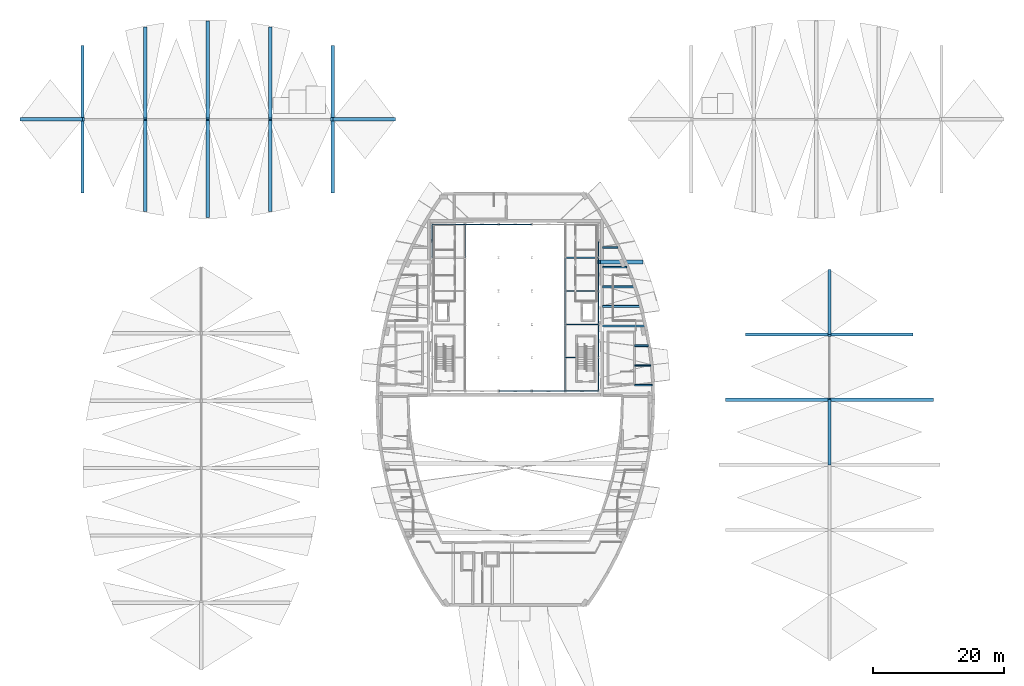
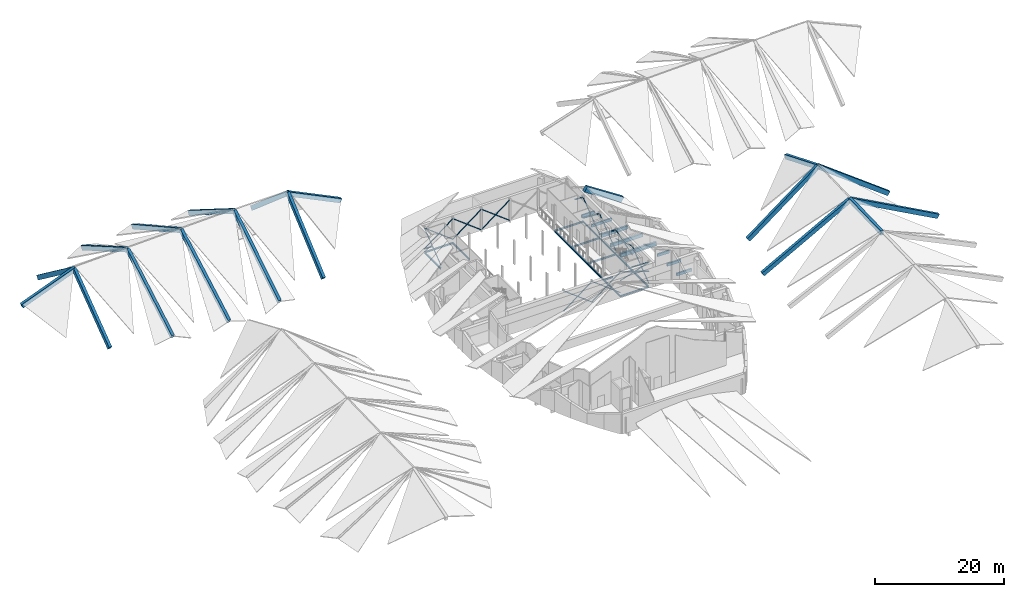
# One storey, part 6 of 17: 43 beams, 33 members.
"""IFC4 building model written with IfcOpenShell, lengths in metres."""

from ifc_helpers import new_model, si_unit, direction, frame, origin, origin_2d, place, context, subcontext, project, spatial, rectangle, hollow_circle, i_section, extrude, material, material_profile, profile_set, type_object, element, save


model = new_model("IFC4")

# Units and contexts
model_context = context("Model", 3, precision=1e-05, world=origin(), true_north=direction((0.0, 1.0)))
body_context = subcontext(model_context, "Body", "Model", "MODEL_VIEW")
ifc_project = project(units=[si_unit("LENGTHUNIT", "METRE"), si_unit("AREAUNIT", "SQUARE_METRE"), si_unit("VOLUMEUNIT", "CUBIC_METRE"), si_unit("PLANEANGLEUNIT", "RADIAN"), si_unit("MASSUNIT", "GRAM", prefix="KILO")], contexts=[model_context])

# Site, building, storey
site_placement = place(None, origin())
site = spatial("IfcSite", under=ifc_project, at=site_placement, CompositionType="ELEMENT")
building_placement = place(site_placement, origin())
building = spatial("IfcBuilding", under=site, at=building_placement, Name="Tide Square Theatres", CompositionType="ELEMENT")
storey_placement = place(building_placement, frame((0.0, 0.0, 14.800048828125)))
storey = spatial("IfcBuildingStorey", under=building, at=storey_placement, Name="L03", CompositionType="ELEMENT", Elevation=14.800048828125)

# Beams
ifc_material_1 = material(Name="Concrete C35", Category="concrete")
ifc_material_profile_1 = material_profile(ifc_material_1, rectangle(XDim=0.25, YDim=0.5, at=origin_2d()))
ifc_profile_set_1 = profile_set([ifc_material_profile_1], Name="Concrete C35")
beam_type_1 = type_object("IfcBeamType", Name="RC beam 250 x 500", PredefinedType="BEAM", material=ifc_profile_set_1)
beam_1_placement = place(storey_placement, frame((102.25, 57.199951171875, -0.5), z_axis=(1.0, 0.0, 0.0), x_axis=(0.0, 1.0, 0.0)))
element("IfcBeam", 1, at=beam_1_placement, inside=storey, type_object=beam_type_1, Name="Floor beam", PredefinedType="BEAM", context=body_context, shape_type="SweptSolid", body=[
    extrude(rectangle(XDim=0.25, YDim=0.5, at=origin_2d()), origin(), (0.0, 0.0, 1.0), 2.680908203125),
])
beam_2_placement = place(storey_placement, frame((102.25, 60.199951171875, -0.5), z_axis=(1.0, 0.0, 0.0), x_axis=(0.0, 1.0, 0.0)))
element("IfcBeam", 2, at=beam_2_placement, inside=storey, type_object=beam_type_1, Name="Floor beam", PredefinedType="BEAM", context=body_context, shape_type="SweptSolid", body=[
    extrude(rectangle(XDim=0.25, YDim=0.5, at=origin_2d()), origin(), (0.0, 0.0, 1.0), 2.48046875),
])
beam_3_placement = place(storey_placement, frame((102.25, 63.199951171875, -0.5), z_axis=(1.0, 0.0, 0.0), x_axis=(0.0, 1.0, 0.0)))
element("IfcBeam", 3, at=beam_3_placement, inside=storey, type_object=beam_type_1, Name="Floor beam", PredefinedType="BEAM", context=body_context, shape_type="SweptSolid", body=[
    extrude(rectangle(XDim=0.25, YDim=0.5, at=origin_2d()), origin(), (0.0, 0.0, 1.0), 2.095947265625),
])
beam_4_placement = place(storey_placement, frame((97.35009765625, 75.199951171875, -0.5), z_axis=(1.0, 0.0, 0.0), x_axis=(0.0, 1.0, 0.0)))
element("IfcBeam", 4, at=beam_4_placement, inside=storey, type_object=beam_type_1, Name="Floor beam", PredefinedType="BEAM", context=body_context, shape_type="SweptSolid", body=[
    extrude(rectangle(XDim=0.25, YDim=0.5, at=origin_2d()), origin(), (0.0, 0.0, 1.0), 3.663330078125),
])
beam_5_placement = place(storey_placement, frame((97.35009765625, 78.199951171875, -0.5), z_axis=(1.0, 0.0, 0.0), x_axis=(0.0, 1.0, 0.0)))
element("IfcBeam", 5, at=beam_5_placement, inside=storey, type_object=beam_type_1, Name="Floor beam", PredefinedType="BEAM", context=body_context, shape_type="SweptSolid", body=[
    extrude(rectangle(XDim=0.25, YDim=0.5, at=origin_2d()), origin(), (0.0, 0.0, 1.0), 2.335205078125),
])
ifc_material_2 = material(Name="Concrete C35", Category="concrete")
ifc_material_profile_2 = material_profile(ifc_material_2, rectangle(XDim=0.300048828125, YDim=0.60009765625, at=origin_2d()))
ifc_profile_set_2 = profile_set([ifc_material_profile_2], Name="Concrete C35")
beam_type_2 = type_object("IfcBeamType", Name="RC beam 300 x 600", PredefinedType="BEAM", material=ifc_profile_set_2)
beam_6_placement = place(storey_placement, frame((97.35009765625, 69.199951171875, -0.550048828125), z_axis=(1.0, 0.0, 0.0), x_axis=(0.0, 1.0, 0.0)))
element("IfcBeam", 6, at=beam_6_placement, inside=storey, type_object=beam_type_2, Name="Floor beam", PredefinedType="BEAM", context=body_context, shape_type="SweptSolid", body=[
    extrude(rectangle(XDim=0.300048828125, YDim=0.60009765625, at=origin_2d()), origin(), (0.0, 0.0, 1.0), 5.7001953125),
])
beam_7_placement = place(storey_placement, frame((97.35009765625, 72.199951171875, -0.550048828125), z_axis=(1.0, 0.0, 0.0), x_axis=(0.0, 1.0, 0.0)))
element("IfcBeam", 7, at=beam_7_placement, inside=storey, type_object=beam_type_2, Name="Floor beam", PredefinedType="BEAM", context=body_context, shape_type="SweptSolid", body=[
    extrude(rectangle(XDim=0.300048828125, YDim=0.60009765625, at=origin_2d()), origin(), (0.0, 0.0, 1.0), 4.779052734375),
])
ifc_material_3 = material(Name="Concrete C35", Category="concrete")
ifc_material_profile_3 = material_profile(ifc_material_3, rectangle(XDim=0.35009765625, YDim=0.699951171875, at=origin_2d()))
ifc_profile_set_3 = profile_set([ifc_material_profile_3], Name="Concrete C35")
beam_type_3 = type_object("IfcBeamType", Name="RC beam 350 x 700", PredefinedType="BEAM", material=ifc_profile_set_3)
beam_8_placement = place(storey_placement, frame((97.35009765625, 66.199951171875, -0.60009765625), z_axis=(1.0, 0.0, 0.0), x_axis=(0.0, 1.0, 0.0)))
element("IfcBeam", 8, at=beam_8_placement, inside=storey, type_object=beam_type_3, Name="Floor beam", PredefinedType="BEAM", context=body_context, shape_type="SweptSolid", body=[
    extrude(rectangle(XDim=0.35009765625, YDim=0.699951171875, at=origin_2d()), origin(), (0.0, 0.0, 1.0), 6.43603515625),
])
ifc_material_4 = material(Name="Concrete C40", Category="concrete")
ifc_material_profile_4 = material_profile(ifc_material_4, rectangle(XDim=0.5, YDim=0.800048828125, at=origin_2d()))
ifc_profile_set_4 = profile_set([ifc_material_profile_4], Name="Concrete C40")
beam_type_4 = type_object("IfcBeamType", Name="RC roof rib 500 x 800", PredefinedType="BEAM", material=ifc_profile_set_4)
beam_9_placement = place(storey_placement, frame((147.6953125, 54.958251953125, -3.941650390625), z_axis=(-0.877853277475, 0.0, 0.478929664175), x_axis=(0.0, -1.0, 0.0)))
element("IfcBeam", 9, at=beam_9_placement, inside=storey, type_object=beam_type_4, Name="Roof rib blackbox R4", PredefinedType="BEAM", context=body_context, shape_type="SweptSolid", body=[
    extrude(rectangle(XDim=0.5, YDim=0.800048828125, at=origin_2d()), origin(), (0.0, 0.0, 1.0), 17.86962890625),
])
beam_10_placement = place(storey_placement, frame((144.551513671875, 64.916259765625, -4.569091796875), z_axis=(-0.798574565694, 0.0, 0.601895890522), x_axis=(0.0, -1.0, 0.0)))
element("IfcBeam", 10, at=beam_10_placement, inside=storey, type_object=beam_type_4, Name="Roof rib blackbox R5", PredefinedType="BEAM", context=body_context, shape_type="SweptSolid", body=[
    extrude(rectangle(XDim=0.5, YDim=0.800048828125, at=origin_2d()), origin(), (0.0, 0.0, 1.0), 15.7685546875),
])
beam_11_placement = place(storey_placement, frame((116.3046875, 54.958251953125, -3.941650390625), z_axis=(0.877853277475, 0.0, 0.478929664175), x_axis=(0.0, 1.0, 0.0)))
element("IfcBeam", 11, at=beam_11_placement, inside=storey, type_object=beam_type_4, Name="Roof rib blackbox L4", PredefinedType="BEAM", context=body_context, shape_type="SweptSolid", body=[
    extrude(rectangle(XDim=0.5, YDim=0.800048828125, at=origin_2d()), origin(), (0.0, 0.0, 1.0), 17.86962890625),
])
beam_12_placement = place(storey_placement, frame((119.448486328125, 64.916259765625, -4.569091796875), z_axis=(0.798574565694, 0.0, 0.601895890522), x_axis=(0.0, 1.0, 0.0)))
element("IfcBeam", 12, at=beam_12_placement, inside=storey, type_object=beam_type_4, Name="Roof rib blackbox L5", PredefinedType="BEAM", context=body_context, shape_type="SweptSolid", body=[
    extrude(rectangle(XDim=0.5, YDim=0.800048828125, at=origin_2d()), origin(), (0.0, 0.0, 1.0), 15.7685546875),
])
beam_13_placement = place(storey_placement, frame((17.88037109375, 86.773193359375, -2.808349609375), z_axis=(0.0, 0.800319809393, 0.599573350552), x_axis=(-1.0, 0.0, 0.0)))
element("IfcBeam", 13, at=beam_13_placement, inside=storey, type_object=beam_type_4, Name="Roof rib workshops R1", PredefinedType="BEAM", context=body_context, shape_type="SweptSolid", body=[
    extrude(rectangle(XDim=0.5, YDim=0.800048828125, at=origin_2d()), origin(), (0.0, 0.0, 1.0), 13.827880859375),
])
beam_14_placement = place(storey_placement, frame((27.440185546875, 83.893310546875, -2.237060546875), z_axis=(0.0, 0.865561843789, 0.50080205129), x_axis=(-1.0, 0.0, 0.0)))
element("IfcBeam", 14, at=beam_14_placement, inside=storey, type_object=beam_type_4, Name="Roof rib workshops R2", PredefinedType="BEAM", context=body_context, shape_type="SweptSolid", body=[
    extrude(rectangle(XDim=0.5, YDim=0.800048828125, at=origin_2d()), origin(), (0.0, 0.0, 1.0), 16.06689453125),
])
beam_15_placement = place(storey_placement, frame((37.0, 82.975830078125, -2.14013671875), z_axis=(0.0, 0.873644197801, 0.486565325161), x_axis=(-1.0, 0.0, 0.0)))
element("IfcBeam", 15, at=beam_15_placement, inside=storey, type_object=beam_type_4, Name="Roof rib workshops R3", PredefinedType="BEAM", context=body_context, shape_type="SweptSolid", body=[
    extrude(rectangle(XDim=0.5, YDim=0.800048828125, at=origin_2d()), origin(), (0.0, 0.0, 1.0), 16.962158203125),
])
beam_16_placement = place(storey_placement, frame((46.559814453125, 83.906005859375, -2.333740234375), z_axis=(0.0, 0.846848724583, 0.531833844045), x_axis=(-1.0, 0.0, 0.0)))
element("IfcBeam", 16, at=beam_16_placement, inside=storey, type_object=beam_type_4, Name="Roof rib workshops R4", PredefinedType="BEAM", context=body_context, shape_type="SweptSolid", body=[
    extrude(rectangle(XDim=0.5, YDim=0.800048828125, at=origin_2d()), origin(), (0.0, 0.0, 1.0), 16.421630859375),
])
beam_17_placement = place(storey_placement, frame((56.11962890625, 86.794189453125, -3.02294921875), z_axis=(0.0, 0.757670994783, 0.652636701132), x_axis=(-1.0, 0.0, 0.0)))
element("IfcBeam", 17, at=beam_17_placement, inside=storey, type_object=beam_type_4, Name="Roof rib workshops R5", PredefinedType="BEAM", context=body_context, shape_type="SweptSolid", body=[
    extrude(rectangle(XDim=0.5, YDim=0.800048828125, at=origin_2d()), origin(), (0.0, 0.0, 1.0), 14.6064453125),
])
beam_18_placement = place(storey_placement, frame((17.88037109375, 108.826904296875, -2.808349609375), z_axis=(0.0, -0.800319809393, 0.599573350552), x_axis=(1.0, 0.0, 0.0)))
element("IfcBeam", 18, at=beam_18_placement, inside=storey, type_object=beam_type_4, Name="Roof rib workshops L1", PredefinedType="BEAM", context=body_context, shape_type="SweptSolid", body=[
    extrude(rectangle(XDim=0.5, YDim=0.800048828125, at=origin_2d()), origin(), (0.0, 0.0, 1.0), 13.827880859375),
])
beam_19_placement = place(storey_placement, frame((27.440185546875, 111.70654296875, -2.237060546875), z_axis=(0.0, -0.865558032727, 0.500808638086), x_axis=(1.0, 0.0, 0.0)))
element("IfcBeam", 19, at=beam_19_placement, inside=storey, type_object=beam_type_4, Name="Roof rib workshops L2", PredefinedType="BEAM", context=body_context, shape_type="SweptSolid", body=[
    extrude(rectangle(XDim=0.5, YDim=0.800048828125, at=origin_2d()), origin(), (0.0, 0.0, 1.0), 16.06689453125),
])
beam_20_placement = place(storey_placement, frame((37.0, 112.6240234375, -2.14013671875), z_axis=(0.0, -0.873640790184, 0.4865714436), x_axis=(1.0, 0.0, 0.0)))
element("IfcBeam", 20, at=beam_20_placement, inside=storey, type_object=beam_type_4, Name="Roof rib workshops L3", PredefinedType="BEAM", context=body_context, shape_type="SweptSolid", body=[
    extrude(rectangle(XDim=0.5, YDim=0.800048828125, at=origin_2d()), origin(), (0.0, 0.0, 1.0), 16.9619140625),
])
beam_21_placement = place(storey_placement, frame((46.559814453125, 111.694091796875, -2.333740234375), z_axis=(0.0, -0.846848724583, 0.531833844045), x_axis=(1.0, 0.0, 0.0)))
element("IfcBeam", 21, at=beam_21_placement, inside=storey, type_object=beam_type_4, Name="Roof rib workshops L4", PredefinedType="BEAM", context=body_context, shape_type="SweptSolid", body=[
    extrude(rectangle(XDim=0.5, YDim=0.800048828125, at=origin_2d()), origin(), (0.0, 0.0, 1.0), 16.421630859375),
])
beam_22_placement = place(storey_placement, frame((56.11962890625, 108.8056640625, -3.02294921875), z_axis=(0.0, -0.757663875338, 0.652644966278), x_axis=(1.0, 0.0, 0.0)))
element("IfcBeam", 22, at=beam_22_placement, inside=storey, type_object=beam_type_4, Name="Roof rib workshops L5", PredefinedType="BEAM", context=body_context, shape_type="SweptSolid", body=[
    extrude(rectangle(XDim=0.5, YDim=0.800048828125, at=origin_2d()), origin(), (0.0, 0.0, 1.0), 14.606201171875),
])
ifc_material_5 = material(Name="Concrete C40", Category="concrete")
ifc_material_profile_5 = material_profile(ifc_material_5, rectangle(XDim=0.60009765625, YDim=1.0, at=origin_2d()))
ifc_profile_set_5 = profile_set([ifc_material_profile_5], Name="Concrete C40")
beam_type_5 = type_object("IfcBeamType", Name="RC roof rib and ridge 600 x 1000", PredefinedType="BEAM", material=ifc_profile_set_5)
beam_23_placement = place(storey_placement, frame((103.266845703125, 76.0068359375, 2.0068359375), z_axis=(-0.837268460487, 0.0, 0.546792030916), x_axis=(0.0, -1.0, 0.0)))
element("IfcBeam", 23, at=beam_23_placement, inside=storey, type_object=beam_type_5, Name="Roof rib main R5", PredefinedType="BEAM", context=body_context, shape_type="SweptSolid", body=[
    extrude(rectangle(XDim=0.60009765625, YDim=1.0, at=origin_2d()), origin(), (0.0, 0.0, 1.0), 7.8115234375),
])
ifc_material_6 = material(Name="Concrete C40", Category="concrete")
ifc_material_profile_6 = material_profile(ifc_material_6, rectangle(XDim=0.5, YDim=0.800048828125, at=origin_2d()))
ifc_profile_set_6 = profile_set([ifc_material_profile_6], Name="Concrete C40")
beam_type_6 = type_object("IfcBeamType", Name="RC roof ridge beam 500 x 800", PredefinedType="BEAM", material=ifc_profile_set_6)
beam_24_placement = place(storey_placement, frame((132.0, 45.011962890625, 4.329345703125), z_axis=(0.0, 0.999550795503, 0.029970105247), x_axis=(-1.0, 0.0, 0.0)))
element("IfcBeam", 24, at=beam_24_placement, inside=storey, type_object=beam_type_6, Name="Ridge beam blackbox", PredefinedType="BEAM", context=body_context, shape_type="SweptSolid", body=[
    extrude(rectangle(XDim=0.5, YDim=0.800048828125, at=origin_2d()), origin(), (0.0, 0.0, 1.0), 9.962646484375),
])
beam_25_placement = place(storey_placement, frame((132.0, 64.764892578125, 4.885498046875), z_axis=(0.0, 0.925609115956, -0.37848086406), x_axis=(-1.0, 0.0, 0.0)))
element("IfcBeam", 25, at=beam_25_placement, inside=storey, type_object=beam_type_6, Name="Ridge beam blackbox", PredefinedType="BEAM", context=body_context, shape_type="SweptSolid", body=[
    extrude(rectangle(XDim=0.5, YDim=0.800048828125, at=origin_2d()), origin(), (0.0, 0.0, 1.0), 10.7587890625),
])
beam_26_placement = place(storey_placement, frame((8.4638671875, 97.800048828125, 1.8115234375), z_axis=(0.932950225435, 0.0, 0.360005384488), x_axis=(0.0, 1.0, 0.0)))
element("IfcBeam", 26, at=beam_26_placement, inside=storey, type_object=beam_type_6, Name="Ridge beam workshops", PredefinedType="BEAM", context=body_context, shape_type="SweptSolid", body=[
    extrude(rectangle(XDim=0.5, YDim=0.800048828125, at=origin_2d()), origin(), (0.0, 0.0, 1.0), 10.24755859375),
])
beam_27_placement = place(storey_placement, frame((55.944580078125, 97.800048828125, 6.462890625), z_axis=(0.899206278723, 0.0, -0.437524934494), x_axis=(0.0, 1.0, 0.0)))
element("IfcBeam", 27, at=beam_27_placement, inside=storey, type_object=beam_type_6, Name="Ridge beam workshops", PredefinedType="BEAM", context=body_context, shape_type="SweptSolid", body=[
    extrude(rectangle(XDim=0.5, YDim=0.800048828125, at=origin_2d()), origin(), (0.0, 0.0, 1.0), 10.63232421875),
])
ifc_material_7 = material(Name="Steel ASTM A572 Grade 50", Category="steel")
ifc_material_profile_7 = material_profile(ifc_material_7, i_section(OverallWidth=0.1650390625, OverallDepth=0.31005859375, WebThickness=0.005859375, FlangeThickness=0.009765625, FilletRadius=0.010009765625, at=origin_2d()))
ifc_profile_set_7 = profile_set([ifc_material_profile_7], Name="Steel ASTM A572 Grade 50")
beam_type_7 = type_object("IfcBeamType", Name="Steel beam W 310 x 38.7", PredefinedType="BEAM", material=ifc_profile_set_7)
for number, where, z_axis, x_axis, name in (
    (28, (71.27587890625, 76.634521484375, -0.35498046875), (0.0, 1.0, 0.0), (-1.0, 0.0, 0.0), "Fly gallery beam"),
    (29, (76.365478515625, 76.634521484375, -0.35498046875), (0.0, 1.0, 0.0), (-1.0, 0.0, 0.0), "Fly gallery beam"),
    (30, (71.27587890625, 81.72412109375, -0.35498046875), (1.0, 0.0, 0.0), (0.0, 1.0, 0.0), "Fly gallery cross beam"),
    (31, (91.634521484375, 56.27587890625, -0.35498046875), (0.0, 1.0, 0.0), (-1.0, 0.0, 0.0), "Fly gallery beam"),
    (32, (91.634521484375, 61.365478515625, -0.35498046875), (0.0, 1.0, 0.0), (-1.0, 0.0, 0.0), "Fly gallery beam"),
):
    element("IfcBeam", number, at=place(storey_placement, frame(where, z_axis=z_axis, x_axis=x_axis)), inside=storey, type_object=beam_type_7, Name=name, PredefinedType="BEAM", context=body_context, shape_type="SweptSolid", body=[
        extrude(i_section(OverallWidth=0.1650390625, OverallDepth=0.31005859375, WebThickness=0.005859375, FlangeThickness=0.009765625, FilletRadius=0.010009765625, at=origin_2d()), origin(), (0.0, 0.0, 1.0), 5.089599609375),
    ])
beam_28_placement = place(storey_placement, frame((91.634521484375, 66.455078125, -0.35498046875), z_axis=(0.0, 1.0, 0.0), x_axis=(-1.0, 0.0, 0.0)))
element("IfcBeam", 33, at=beam_28_placement, inside=storey, type_object=beam_type_7, Name="Fly gallery beam", PredefinedType="BEAM", context=body_context, shape_type="SweptSolid", body=[
    extrude(i_section(OverallWidth=0.1650390625, OverallDepth=0.31005859375, WebThickness=0.005859375, FlangeThickness=0.009765625, FilletRadius=0.010009765625, at=origin_2d()), origin(), (0.0, 0.0, 1.0), 5.08984375),
])
for number, where, z_axis, x_axis, name in (
    (34, (91.634521484375, 71.544921875, -0.35498046875), (0.0, 1.0, 0.0), (-1.0, 0.0, 0.0), "Fly gallery beam"),
    (35, (96.72412109375, 56.27587890625, -0.35498046875), (0.0, 1.0, 0.0), (-1.0, 0.0, 0.0), "Fly gallery beam"),
    (36, (96.72412109375, 61.365478515625, -0.35498046875), (0.0, 1.0, 0.0), (-1.0, 0.0, 0.0), "Fly gallery beam"),
):
    element("IfcBeam", number, at=place(storey_placement, frame(where, z_axis=z_axis, x_axis=x_axis)), inside=storey, type_object=beam_type_7, Name=name, PredefinedType="BEAM", context=body_context, shape_type="SweptSolid", body=[
        extrude(i_section(OverallWidth=0.1650390625, OverallDepth=0.31005859375, WebThickness=0.005859375, FlangeThickness=0.009765625, FilletRadius=0.010009765625, at=origin_2d()), origin(), (0.0, 0.0, 1.0), 5.089599609375),
    ])
beam_29_placement = place(storey_placement, frame((96.72412109375, 66.455078125, -0.35498046875), z_axis=(0.0, 1.0, 0.0), x_axis=(-1.0, 0.0, 0.0)))
element("IfcBeam", 37, at=beam_29_placement, inside=storey, type_object=beam_type_7, Name="Fly gallery beam", PredefinedType="BEAM", context=body_context, shape_type="SweptSolid", body=[
    extrude(i_section(OverallWidth=0.1650390625, OverallDepth=0.31005859375, WebThickness=0.005859375, FlangeThickness=0.009765625, FilletRadius=0.010009765625, at=origin_2d()), origin(), (0.0, 0.0, 1.0), 5.08984375),
])
for number, where, z_axis, x_axis, name in (
    (38, (96.72412109375, 71.544921875, -0.35498046875), (0.0, 1.0, 0.0), (-1.0, 0.0, 0.0), "Fly gallery beam"),
    (39, (91.634521484375, 56.27587890625, -0.35498046875), (1.0, 0.0, 0.0), (0.0, 1.0, 0.0), "Fly gallery cross beam"),
):
    element("IfcBeam", number, at=place(storey_placement, frame(where, z_axis=z_axis, x_axis=x_axis)), inside=storey, type_object=beam_type_7, Name=name, PredefinedType="BEAM", context=body_context, shape_type="SweptSolid", body=[
        extrude(i_section(OverallWidth=0.1650390625, OverallDepth=0.31005859375, WebThickness=0.005859375, FlangeThickness=0.009765625, FilletRadius=0.010009765625, at=origin_2d()), origin(), (0.0, 0.0, 1.0), 5.089599609375),
    ])
beam_30_placement = place(storey_placement, frame((91.634521484375, 61.365478515625, -0.35498046875), z_axis=(1.0, 0.0, 0.0), x_axis=(0.0, 1.0, 0.0)))
element("IfcBeam", 40, at=beam_30_placement, inside=storey, type_object=beam_type_7, Name="Fly gallery cross beam", PredefinedType="BEAM", context=body_context, shape_type="SweptSolid", body=[
    extrude(i_section(OverallWidth=0.1650390625, OverallDepth=0.31005859375, WebThickness=0.005859375, FlangeThickness=0.009765625, FilletRadius=0.010009765625, at=origin_2d()), origin(), (0.0, 0.0, 1.0), 1.589599609375),
])
for number, where, z_axis, x_axis, name in (
    (41, (91.634521484375, 66.455078125, -0.35498046875), (1.0, 0.0, 0.0), (0.0, 1.0, 0.0), "Fly gallery cross beam"),
    (42, (91.634521484375, 71.544921875, -0.35498046875), (1.0, 0.0, 0.0), (0.0, 1.0, 0.0), "Fly gallery cross beam"),
    (43, (91.634521484375, 76.634521484375, -0.35498046875), (1.0, 0.0, 0.0), (0.0, 1.0, 0.0), "Fly gallery cross beam"),
):
    element("IfcBeam", number, at=place(storey_placement, frame(where, z_axis=z_axis, x_axis=x_axis)), inside=storey, type_object=beam_type_7, Name=name, PredefinedType="BEAM", context=body_context, shape_type="SweptSolid", body=[
        extrude(i_section(OverallWidth=0.1650390625, OverallDepth=0.31005859375, WebThickness=0.005859375, FlangeThickness=0.009765625, FilletRadius=0.010009765625, at=origin_2d()), origin(), (0.0, 0.0, 1.0), 5.089599609375),
    ])

# Members
ifc_material_8 = material(Name="Steel ASTM A500 Grade C", Category="steel")
ifc_material_profile_8 = material_profile(ifc_material_8, hollow_circle(Radius=0.084228515625, WallThickness=0.008056640625, at=origin_2d()))
ifc_profile_set_8 = profile_set([ifc_material_profile_8], Name="Steel ASTM A500 Grade C")
member_type = type_object("IfcMemberType", Name="Steel brace CHS 168.3 x 8.0", PredefinedType="BRACE", material=ifc_profile_set_8)
member_1_placement = place(storey_placement, frame((81.455078125, 56.27587890625, 0.349853515625), z_axis=(0.793761987508, 0.0, 0.608228499158), x_axis=(0.0, 1.0, 0.0)))
element("IfcMember", 44, at=member_1_placement, inside=storey, type_object=member_type, Name="Fly tower brace", PredefinedType="BRACE", context=body_context, shape_type="SweptSolid", body=[
    extrude(hollow_circle(Radius=0.084228515625, WallThickness=0.008056640625, at=origin_2d()), origin(), (0.0, 0.0, 1.0), 6.412353515625),
])
for number, where, z_axis, x_axis, name in (
    (45, (86.544921875, 56.27587890625, 0.349853515625), (-0.793761905618, 0.0, 0.608228606027), (0.0, -1.0, 0.0), "Fly tower brace"),
    (46, (83.921142578125, 56.27587890625, 2.3603515625), (-0.793761905618, 0.0, 0.608228606027), (0.0, -1.0, 0.0), "Fly tower brace"),
):
    element("IfcMember", number, at=place(storey_placement, frame(where, z_axis=z_axis, x_axis=x_axis)), inside=storey, type_object=member_type, Name=name, PredefinedType="BRACE", context=body_context, shape_type="SweptSolid", body=[
        extrude(hollow_circle(Radius=0.084228515625, WallThickness=0.008056640625, at=origin_2d()), origin(), (0.0, 0.0, 1.0), 3.106689453125),
    ])
member_2_placement = place(storey_placement, frame((86.544921875, 56.27587890625, 0.349853515625), z_axis=(0.793747901786, 0.0, 0.608246881135), x_axis=(0.0, 1.0, 0.0)))
element("IfcMember", 47, at=member_2_placement, inside=storey, type_object=member_type, Name="Fly tower brace", PredefinedType="BRACE", context=body_context, shape_type="SweptSolid", body=[
    extrude(hollow_circle(Radius=0.084228515625, WallThickness=0.008056640625, at=origin_2d()), origin(), (0.0, 0.0, 1.0), 6.412109375),
])
for number, where, z_axis, x_axis, name in (
    (48, (91.634521484375, 56.27587890625, 0.349853515625), (-0.793761905618, 0.0, 0.608228606027), (0.0, -1.0, 0.0), "Fly tower brace"),
    (49, (89.0107421875, 56.27587890625, 2.3603515625), (-0.793732831925, 0.0, 0.608266546445), (0.0, -1.0, 0.0), "Fly tower brace"),
):
    element("IfcMember", number, at=place(storey_placement, frame(where, z_axis=z_axis, x_axis=x_axis)), inside=storey, type_object=member_type, Name=name, PredefinedType="BRACE", context=body_context, shape_type="SweptSolid", body=[
        extrude(hollow_circle(Radius=0.084228515625, WallThickness=0.008056640625, at=origin_2d()), origin(), (0.0, 0.0, 1.0), 3.106689453125),
    ])
member_3_placement = place(storey_placement, frame((91.634521484375, 56.27587890625, 2.599853515625), z_axis=(0.951252128947, 0.0, 0.30841431091), x_axis=(0.0, 1.0, 0.0)))
element("IfcMember", 50, at=member_3_placement, inside=storey, type_object=member_type, Name="Fly tower brace", PredefinedType="BRACE", context=body_context, shape_type="SweptSolid", body=[
    extrude(hollow_circle(Radius=0.084228515625, WallThickness=0.008056640625, at=origin_2d()), origin(), (0.0, 0.0, 1.0), 5.350341796875),
])
member_4_placement = place(storey_placement, frame((96.72412109375, 56.27587890625, 2.599853515625), z_axis=(-0.951257396321, 0.0, 0.308398064106), x_axis=(0.0, -1.0, 0.0)))
element("IfcMember", 51, at=member_4_placement, inside=storey, type_object=member_type, Name="Fly tower brace", PredefinedType="BRACE", context=body_context, shape_type="SweptSolid", body=[
    extrude(hollow_circle(Radius=0.084228515625, WallThickness=0.008056640625, at=origin_2d()), origin(), (0.0, 0.0, 1.0), 2.463623046875),
])
member_5_placement = place(storey_placement, frame((93.977783203125, 56.27587890625, 3.490234375), z_axis=(-0.951247969685, 0.0, 0.30842713916), x_axis=(0.0, -1.0, 0.0)))
element("IfcMember", 52, at=member_5_placement, inside=storey, type_object=member_type, Name="Fly tower brace", PredefinedType="BRACE", context=body_context, shape_type="SweptSolid", body=[
    extrude(hollow_circle(Radius=0.084228515625, WallThickness=0.008056640625, at=origin_2d()), origin(), (0.0, 0.0, 1.0), 2.46337890625),
])
member_6_placement = place(storey_placement, frame((71.27587890625, 81.72412109375, 0.349853515625), z_axis=(0.793747901786, 0.0, 0.608246881135), x_axis=(0.0, 1.0, 0.0)))
element("IfcMember", 53, at=member_6_placement, inside=storey, type_object=member_type, Name="Fly tower brace", PredefinedType="BRACE", context=body_context, shape_type="SweptSolid", body=[
    extrude(hollow_circle(Radius=0.084228515625, WallThickness=0.008056640625, at=origin_2d()), origin(), (0.0, 0.0, 1.0), 6.412109375),
])
for number, where, z_axis, x_axis, name in (
    (54, (76.365478515625, 81.72412109375, 0.349853515625), (-0.793732831925, 0.0, 0.608266546445), (0.0, -1.0, 0.0), "Fly tower brace"),
    (55, (73.741943359375, 81.72412109375, 2.3603515625), (-0.793761905618, 0.0, 0.608228606027), (0.0, -1.0, 0.0), "Fly tower brace"),
):
    element("IfcMember", number, at=place(storey_placement, frame(where, z_axis=z_axis, x_axis=x_axis)), inside=storey, type_object=member_type, Name=name, PredefinedType="BRACE", context=body_context, shape_type="SweptSolid", body=[
        extrude(hollow_circle(Radius=0.084228515625, WallThickness=0.008056640625, at=origin_2d()), origin(), (0.0, 0.0, 1.0), 3.106689453125),
    ])
member_7_placement = place(storey_placement, frame((76.365478515625, 81.72412109375, 0.349853515625), z_axis=(0.793747901786, 0.0, 0.608246881135), x_axis=(0.0, 1.0, 0.0)))
element("IfcMember", 56, at=member_7_placement, inside=storey, type_object=member_type, Name="Fly tower brace", PredefinedType="BRACE", context=body_context, shape_type="SweptSolid", body=[
    extrude(hollow_circle(Radius=0.084228515625, WallThickness=0.008056640625, at=origin_2d()), origin(), (0.0, 0.0, 1.0), 6.412109375),
])
for number, where, z_axis, x_axis, name in (
    (57, (81.455078125, 81.72412109375, 0.349853515625), (-0.793732831925, 0.0, 0.608266546445), (0.0, -1.0, 0.0), "Fly tower brace"),
    (58, (78.83154296875, 81.72412109375, 2.3603515625), (-0.793761905618, 0.0, 0.608228606027), (0.0, -1.0, 0.0), "Fly tower brace"),
):
    element("IfcMember", number, at=place(storey_placement, frame(where, z_axis=z_axis, x_axis=x_axis)), inside=storey, type_object=member_type, Name=name, PredefinedType="BRACE", context=body_context, shape_type="SweptSolid", body=[
        extrude(hollow_circle(Radius=0.084228515625, WallThickness=0.008056640625, at=origin_2d()), origin(), (0.0, 0.0, 1.0), 3.106689453125),
    ])
member_8_placement = place(storey_placement, frame((81.455078125, 81.72412109375, 0.349853515625), z_axis=(0.793761987508, 0.0, 0.608228499158), x_axis=(0.0, 1.0, 0.0)))
element("IfcMember", 59, at=member_8_placement, inside=storey, type_object=member_type, Name="Fly tower brace", PredefinedType="BRACE", context=body_context, shape_type="SweptSolid", body=[
    extrude(hollow_circle(Radius=0.084228515625, WallThickness=0.008056640625, at=origin_2d()), origin(), (0.0, 0.0, 1.0), 6.412353515625),
])
for number, where, z_axis, x_axis, name in (
    (60, (86.544921875, 81.72412109375, 0.349853515625), (-0.793761905618, 0.0, 0.608228606027), (0.0, -1.0, 0.0), "Fly tower brace"),
    (61, (83.921142578125, 81.72412109375, 2.3603515625), (-0.793761905618, 0.0, 0.608228606027), (0.0, -1.0, 0.0), "Fly tower brace"),
):
    element("IfcMember", number, at=place(storey_placement, frame(where, z_axis=z_axis, x_axis=x_axis)), inside=storey, type_object=member_type, Name=name, PredefinedType="BRACE", context=body_context, shape_type="SweptSolid", body=[
        extrude(hollow_circle(Radius=0.084228515625, WallThickness=0.008056640625, at=origin_2d()), origin(), (0.0, 0.0, 1.0), 3.106689453125),
    ])
member_9_placement = place(storey_placement, frame((71.27587890625, 76.634521484375, 0.349853515625), z_axis=(0.0, 0.793747901786, 0.608246881135), x_axis=(-1.0, 0.0, 0.0)))
element("IfcMember", 62, at=member_9_placement, inside=storey, type_object=member_type, Name="Fly tower brace", PredefinedType="BRACE", context=body_context, shape_type="SweptSolid", body=[
    extrude(hollow_circle(Radius=0.084228515625, WallThickness=0.008056640625, at=origin_2d()), origin(), (0.0, 0.0, 1.0), 6.412109375),
])
member_10_placement = place(storey_placement, frame((71.27587890625, 81.72412109375, 0.349853515625), z_axis=(0.0, -0.793761905618, 0.608228606027), x_axis=(1.0, 0.0, 0.0)))
element("IfcMember", 63, at=member_10_placement, inside=storey, type_object=member_type, Name="Fly tower brace", PredefinedType="BRACE", context=body_context, shape_type="SweptSolid", body=[
    extrude(hollow_circle(Radius=0.084228515625, WallThickness=0.008056640625, at=origin_2d()), origin(), (0.0, 0.0, 1.0), 3.106689453125),
])
member_11_placement = place(storey_placement, frame((96.72412109375, 56.27587890625, 0.349853515625), z_axis=(0.0, 0.793747901786, 0.608246881135), x_axis=(-1.0, 0.0, 0.0)))
element("IfcMember", 64, at=member_11_placement, inside=storey, type_object=member_type, Name="Fly tower brace", PredefinedType="BRACE", context=body_context, shape_type="SweptSolid", body=[
    extrude(hollow_circle(Radius=0.084228515625, WallThickness=0.008056640625, at=origin_2d()), origin(), (0.0, 0.0, 1.0), 6.412109375),
])
for number, where, z_axis, x_axis, name in (
    (65, (96.72412109375, 61.365478515625, 0.349853515625), (0.0, -0.793732831925, 0.608266546445), (1.0, 0.0, 0.0), "Fly tower brace"),
    (66, (96.72412109375, 58.741943359375, 2.3603515625), (0.0, -0.793761905618, 0.608228606027), (1.0, 0.0, 0.0), "Fly tower brace"),
):
    element("IfcMember", number, at=place(storey_placement, frame(where, z_axis=z_axis, x_axis=x_axis)), inside=storey, type_object=member_type, Name=name, PredefinedType="BRACE", context=body_context, shape_type="SweptSolid", body=[
        extrude(hollow_circle(Radius=0.084228515625, WallThickness=0.008056640625, at=origin_2d()), origin(), (0.0, 0.0, 1.0), 3.106689453125),
    ])
member_12_placement = place(storey_placement, frame((96.72412109375, 61.365478515625, 2.599853515625), z_axis=(0.0, 0.951252128947, 0.30841431091), x_axis=(-1.0, 0.0, 0.0)))
element("IfcMember", 67, at=member_12_placement, inside=storey, type_object=member_type, Name="Fly tower brace", PredefinedType="BRACE", context=body_context, shape_type="SweptSolid", body=[
    extrude(hollow_circle(Radius=0.084228515625, WallThickness=0.008056640625, at=origin_2d()), origin(), (0.0, 0.0, 1.0), 5.350341796875),
])
member_13_placement = place(storey_placement, frame((96.72412109375, 66.455078125, 2.599853515625), z_axis=(0.0, -0.951247969685, 0.30842713916), x_axis=(1.0, 0.0, 0.0)))
element("IfcMember", 68, at=member_13_placement, inside=storey, type_object=member_type, Name="Fly tower brace", PredefinedType="BRACE", context=body_context, shape_type="SweptSolid", body=[
    extrude(hollow_circle(Radius=0.084228515625, WallThickness=0.008056640625, at=origin_2d()), origin(), (0.0, 0.0, 1.0), 2.46337890625),
])
member_14_placement = place(storey_placement, frame((96.72412109375, 63.708984375, 3.490234375), z_axis=(0.0, -0.951257396321, 0.308398064106), x_axis=(1.0, 0.0, 0.0)))
element("IfcMember", 69, at=member_14_placement, inside=storey, type_object=member_type, Name="Fly tower brace", PredefinedType="BRACE", context=body_context, shape_type="SweptSolid", body=[
    extrude(hollow_circle(Radius=0.084228515625, WallThickness=0.008056640625, at=origin_2d()), origin(), (0.0, 0.0, 1.0), 2.463623046875),
])
member_15_placement = place(storey_placement, frame((96.72412109375, 66.455078125, 0.349853515625), z_axis=(0.0, 0.793761987508, 0.608228499158), x_axis=(-1.0, 0.0, 0.0)))
element("IfcMember", 70, at=member_15_placement, inside=storey, type_object=member_type, Name="Fly tower brace", PredefinedType="BRACE", context=body_context, shape_type="SweptSolid", body=[
    extrude(hollow_circle(Radius=0.084228515625, WallThickness=0.008056640625, at=origin_2d()), origin(), (0.0, 0.0, 1.0), 6.412353515625),
])
for number, where, z_axis, x_axis, name in (
    (71, (96.72412109375, 71.544921875, 0.349853515625), (0.0, -0.793761905618, 0.608228606027), (1.0, 0.0, 0.0), "Fly tower brace"),
    (72, (96.72412109375, 68.921142578125, 2.3603515625), (0.0, -0.793761905618, 0.608228606027), (1.0, 0.0, 0.0), "Fly tower brace"),
):
    element("IfcMember", number, at=place(storey_placement, frame(where, z_axis=z_axis, x_axis=x_axis)), inside=storey, type_object=member_type, Name=name, PredefinedType="BRACE", context=body_context, shape_type="SweptSolid", body=[
        extrude(hollow_circle(Radius=0.084228515625, WallThickness=0.008056640625, at=origin_2d()), origin(), (0.0, 0.0, 1.0), 3.106689453125),
    ])
member_16_placement = place(storey_placement, frame((96.72412109375, 71.544921875, 0.349853515625), z_axis=(0.0, 0.793747901786, 0.608246881135), x_axis=(-1.0, 0.0, 0.0)))
element("IfcMember", 73, at=member_16_placement, inside=storey, type_object=member_type, Name="Fly tower brace", PredefinedType="BRACE", context=body_context, shape_type="SweptSolid", body=[
    extrude(hollow_circle(Radius=0.084228515625, WallThickness=0.008056640625, at=origin_2d()), origin(), (0.0, 0.0, 1.0), 6.412109375),
])
for number, where, z_axis, x_axis, name in (
    (74, (96.72412109375, 76.634521484375, 0.349853515625), (0.0, -0.793761905618, 0.608228606027), (1.0, 0.0, 0.0), "Fly tower brace"),
    (75, (96.72412109375, 74.0107421875, 2.3603515625), (0.0, -0.793732831925, 0.608266546445), (1.0, 0.0, 0.0), "Fly tower brace"),
    (76, (96.72412109375, 79.100341796875, 2.3603515625), (0.0, -0.793732831925, 0.608266546445), (1.0, 0.0, 0.0), "Fly tower brace"),
):
    element("IfcMember", number, at=place(storey_placement, frame(where, z_axis=z_axis, x_axis=x_axis)), inside=storey, type_object=member_type, Name=name, PredefinedType="BRACE", context=body_context, shape_type="SweptSolid", body=[
        extrude(hollow_circle(Radius=0.084228515625, WallThickness=0.008056640625, at=origin_2d()), origin(), (0.0, 0.0, 1.0), 3.106689453125),
    ])

save(model, "model.ifc")
